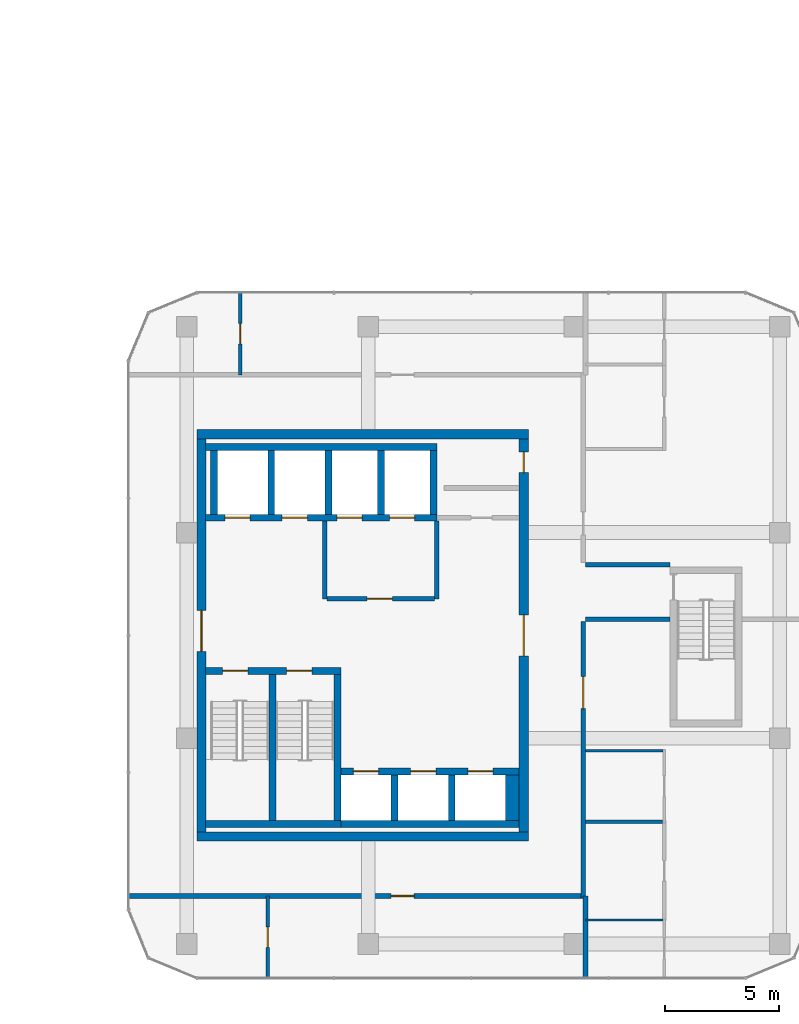
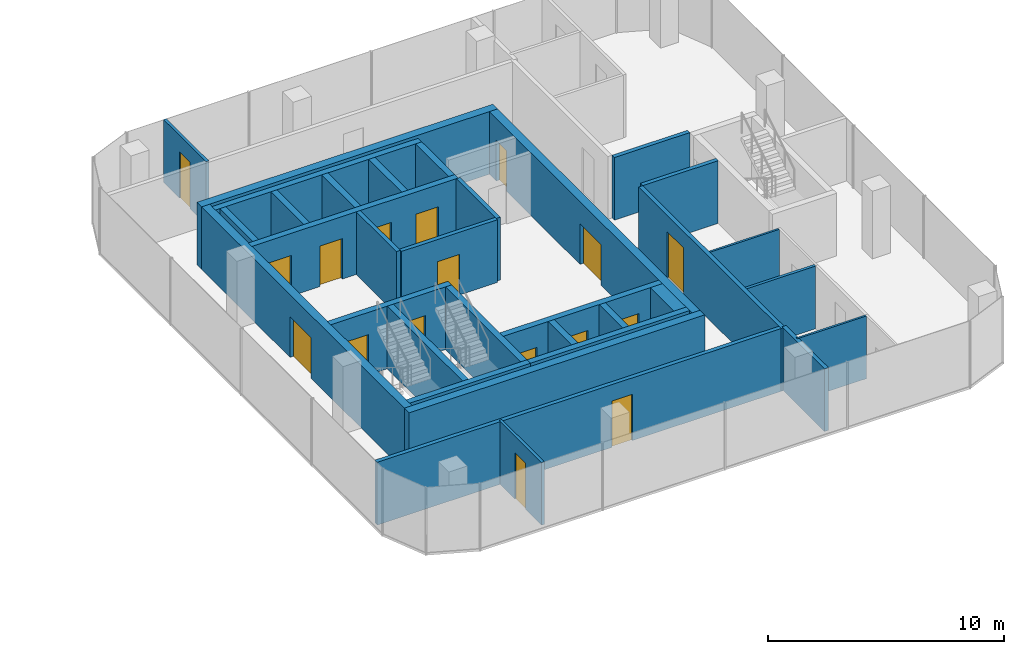
# One storey, part 17 of 22: 33 walls, 17 doors, 17 openings.
"""IFC4 building model written with IfcOpenShell, lengths in metres."""

import ifcopenshell
import ifcopenshell.guid

model = None  # the IFC model being written
_history = None  # IfcOwnerHistory: only IFC2X3 demands one
_inside = {}  # id of a spatial element -> (the spatial element, [elements in it])
_under = {}  # id of a project, library or spatial element -> (it, [spatial elements below it])
_declared = {}  # id of a project -> (the project, [libraries it declares])
_typed = {}  # id of a type object -> (the type object, [elements of that type])
_made_of = {}  # id of a material, layer set ... -> (it, [elements and type objects made of it])


def new_model(schema):
    """Start an empty IFC model of exactly this schema.

    Asked for "IFC4X3", IfcOpenShell would pick the latest addendum, in which some entities
    have other attributes; the version numbers below select the first issue.
    IFC2X3 requires an IfcOwnerHistory on every rooted entity: one is made here for all.
    """
    global model, _history
    if schema == "IFC4X3":
        model = ifcopenshell.file(schema_version=(4, 3, 0, 0))
    else:
        model = ifcopenshell.file(schema=schema)
    _inside.clear()
    _under.clear()
    _declared.clear()
    _typed.clear()
    _made_of.clear()
    _history = None
    if model.schema == "IFC2X3":
        org = make("IfcOrganization", Name="unknown")
        user = make(
            "IfcPersonAndOrganization",
            ThePerson=make("IfcPerson", FamilyName="unknown"),
            TheOrganization=org,
        )
        app = make(
            "IfcApplication",
            ApplicationDeveloper=org,
            Version="unknown",
            ApplicationFullName="unknown",
            ApplicationIdentifier="unknown",
        )
        _history = make(
            "IfcOwnerHistory",
            OwningUser=user,
            OwningApplication=app,
            ChangeAction="ADDED",
            CreationDate=0,
        )
    return model


def make(cls, **values):
    """One entity of the class cls with the attributes given. An attribute that is None is left unset."""
    return model.create_entity(
        cls, **{name: value for name, value in values.items() if value is not None}
    )


def rooted(cls, **values):
    """An entity with a GlobalId (a new one), such as an element, a storey or a relation."""
    return make(cls, GlobalId=ifcopenshell.guid.new(), OwnerHistory=_history, **values)


def si_unit(unit_type, name, prefix=None):
    """IfcSIUnit, for example si_unit("LENGTHUNIT", "METRE", prefix="MILLI")."""
    return make("IfcSIUnit", UnitType=unit_type, Prefix=prefix, Name=name)


def assignment(units):
    """IfcUnitAssignment: the units of a project."""
    return None if units is None else make("IfcUnitAssignment", Units=units)


def point(xyz):
    """IfcCartesianPoint."""
    return None if xyz is None else make("IfcCartesianPoint", Coordinates=xyz)


def direction(xyz):
    """IfcDirection."""
    return None if xyz is None else make("IfcDirection", DirectionRatios=xyz)


def frame(location, z_axis=None, x_axis=None):
    """IfcAxis2Placement3D, a coordinate frame: its origin and axes. An axis left out is left unset."""
    return make(
        "IfcAxis2Placement3D",
        Location=point(location),
        Axis=direction(z_axis),
        RefDirection=direction(x_axis),
    )


def frame_2d(location, x_axis=None):
    """IfcAxis2Placement2D, a coordinate frame in the plane: its origin and x axis."""
    return make(
        "IfcAxis2Placement2D", Location=point(location), RefDirection=direction(x_axis)
    )


def origin():
    """The frame at (0, 0, 0) with its axes left unset."""
    return frame((0.0, 0.0, 0.0))


def place(relative_to, where):
    """IfcLocalPlacement: puts the frame where relative to a parent placement (None: the world)."""
    return make(
        "IfcLocalPlacement", PlacementRelTo=relative_to, RelativePlacement=where
    )


def context(
    kind, dimensions, precision=None, world=None, true_north=None, identifier=None
):
    """IfcGeometricRepresentationContext, for example the 3D "Model" context."""
    return make(
        "IfcGeometricRepresentationContext",
        ContextIdentifier=identifier,
        ContextType=kind,
        CoordinateSpaceDimension=dimensions,
        Precision=precision,
        WorldCoordinateSystem=world,
        TrueNorth=true_north,
    )


def subcontext(parent, identifier, kind, view, scale=None):
    """IfcGeometricRepresentationSubContext, for example "Body" below "Model"."""
    return make(
        "IfcGeometricRepresentationSubContext",
        ContextIdentifier=identifier,
        ContextType=kind,
        ParentContext=parent,
        TargetScale=scale,
        TargetView=view,
    )


def project(units=None, contexts=None):
    """IfcProject with its units and contexts."""
    return rooted(
        "IfcProject",
        Name="project",
        RepresentationContexts=contexts,
        UnitsInContext=assignment(units),
    )


def spatial(cls, under=None, at=None, **own):
    """A site, building, storey or space (cls), placed at a placement, below another one or the project."""
    s = rooted(cls, ObjectPlacement=at, **own)
    if under is not None:
        _under.setdefault(under.id(), (under, []))[1].append(s)
    return s


def profile(cls, at=None, kind="AREA", **sizes):
    """A parametric profile (cls). Its sizes go by their IFC names, for example OverallWidth=200.0."""
    return make(cls, ProfileType=kind, Position=at, **sizes)


def rectangle(**sizes):
    """IfcRectangleProfileDef."""
    return profile("IfcRectangleProfileDef", **sizes)


def extrude(swept, where, along, depth):
    """IfcExtrudedAreaSolid: the profile swept, set in the frame where, extruded along a direction by depth."""
    return make(
        "IfcExtrudedAreaSolid",
        SweptArea=swept,
        Position=where,
        ExtrudedDirection=direction(along),
        Depth=depth,
    )


def shape(context_of_items, identifier, shape_type, items):
    """IfcShapeRepresentation: the items that make up one representation, for example the "Body"."""
    return make(
        "IfcShapeRepresentation",
        ContextOfItems=context_of_items,
        RepresentationIdentifier=identifier,
        RepresentationType=shape_type,
        Items=items,
    )


def material(Name=None, Category=None):
    """IfcMaterial."""
    return make("IfcMaterial", Name=Name, Category=Category)


def layer(
    of_material, thickness, ventilated=None, Name=None, Category=None, Priority=None
):
    """IfcMaterialLayer: one layer of a wall or slab, of a material (None: an air gap)."""
    return make(
        "IfcMaterialLayer",
        Material=of_material,
        LayerThickness=thickness,
        IsVentilated=ventilated,
        Name=Name,
        Category=Category,
        Priority=Priority,
    )


def layer_set(layers, Name=None):
    """IfcMaterialLayerSet."""
    return make("IfcMaterialLayerSet", MaterialLayers=layers, LayerSetName=Name)


def made_of(thing, what):
    """Note that an element or type object is made of a material, layer set ...; save() writes the relation."""
    if what is not None:
        _made_of.setdefault(what.id(), (what, []))[1].append(thing)
    return thing


def type_object(cls, material=None, **own):
    """A type object (cls), such as IfcWallType, which elements share."""
    return made_of(rooted(cls, **own), material)


def element(
    cls,
    number,
    at=None,
    inside=None,
    cuts=None,
    type_object=None,
    material=None,
    context=None,
    identifier="Body",
    shape_type=None,
    held_by="IfcProductDefinitionShape",
    body=None,
    shapes=None,
    **own,
):
    """One element of the class cls, such as IfcWall. Its Tag is "e" and its number.

    at: its placement. inside: the storey or other place that contains it. cuts: it is an
    opening in that element (IfcRelVoidsElement). A single representation is given by context,
    identifier, shape_type and body (its items); several are given by shapes. held_by: the class
    of the entity that holds the representations. save() writes the other relations.
    """
    e = rooted(cls, Tag="e%d" % number, ObjectPlacement=at, **own)
    if body is not None:
        shapes = [shape(context, identifier, shape_type, body)]
    if shapes is not None:
        e.Representation = make(held_by, Representations=shapes)
    if inside is not None:
        _inside.setdefault(inside.id(), (inside, []))[1].append(e)
    if cuts is not None:
        rooted(
            "IfcRelVoidsElement", RelatingBuildingElement=cuts, RelatedOpeningElement=e
        )
    if type_object is not None:
        _typed.setdefault(type_object.id(), (type_object, []))[1].append(e)
    return made_of(e, material)


def fill(opening, filler):
    """IfcRelFillsElement: the door or window that sits in an opening."""
    return rooted(
        "IfcRelFillsElement",
        RelatingOpeningElement=opening,
        RelatedBuildingElement=filler,
    )


def aggregate(whole, parts):
    """IfcRelAggregates: a whole, such as a stair, and the parts it consists of."""
    return rooted("IfcRelAggregates", RelatingObject=whole, RelatedObjects=parts)


def save(model, path):
    """Write the relations noted so far, then the file.

    IfcRelAggregates (storeys below a building ...), IfcRelContainedInSpatialStructure (elements
    in a storey), IfcRelDefinesByType, IfcRelAssociatesMaterial and IfcRelDeclares: one each for
    every whole, place, type object, material and project.
    """
    for whole, parts in _under.values():
        aggregate(whole, parts)
    for where, things in _inside.values():
        rooted(
            "IfcRelContainedInSpatialStructure",
            RelatedElements=things,
            RelatingStructure=where,
        )
    for kind, things in _typed.values():
        rooted("IfcRelDefinesByType", RelatedObjects=things, RelatingType=kind)
    for what, things in _made_of.values():
        rooted("IfcRelAssociatesMaterial", RelatedObjects=things, RelatingMaterial=what)
    for by, libraries in _declared.values():
        rooted("IfcRelDeclares", RelatingContext=by, RelatedDefinitions=libraries)
    model.write(path)


model = new_model("IFC4")

# Units and contexts
model_context = context("Model", 3, precision=1e-05, world=origin(), true_north=direction((0.0, 1.0)))
body_context = subcontext(model_context, "Body", "Model", "MODEL_VIEW")
ifc_project = project(units=[si_unit("LENGTHUNIT", "METRE"), si_unit("AREAUNIT", "SQUARE_METRE"), si_unit("VOLUMEUNIT", "CUBIC_METRE"), si_unit("PLANEANGLEUNIT", "RADIAN"), si_unit("MASSUNIT", "GRAM", prefix="KILO")], contexts=[model_context])

# Site, building, storey
site_placement = place(None, origin())
site = spatial("IfcSite", under=ifc_project, at=site_placement, CompositionType="ELEMENT")
building_placement = place(site_placement, origin())
building = spatial("IfcBuilding", under=site, at=building_placement, Name="Plateau Cross Towers", CompositionType="ELEMENT")
storey_placement = place(building_placement, frame((0.0, 0.0, 102.800048828125)))
storey = spatial("IfcBuildingStorey", under=building, at=storey_placement, Name="L26", CompositionType="ELEMENT", Elevation=102.800048828125)

# Wall
ifc_material_1 = material(Name="Concrete block, plastered both sides", Category="concrete")
ifc_layer_1 = layer(ifc_material_1, 0.199951171875)
ifc_layer_set_1 = layer_set([ifc_layer_1], Name="Concrete block, plastered both sides")
wall_type_1 = type_object("IfcWallType", Name="Core partition 200", PredefinedType="PARTITIONING", material=ifc_layer_set_1)
wall_1_placement = place(storey_placement, frame((80.60009765625, 10.60009765625, 0.0), z_axis=(0.0, 0.0, 1.0), x_axis=(0.0, 1.0, 0.0)))
element("IfcWall", 1, at=wall_1_placement, inside=storey, type_object=wall_type_1, Name="Core partition", PredefinedType="PARTITIONING", context=body_context, shape_type="SweptSolid", body=[
    extrude(rectangle(XDim=3.39990234375, YDim=0.199951171875, at=frame_2d((1.699951171875, 0.0))), origin(), (0.0, 0.0, 1.0), 3.25),
])

# Wall, opening, door
wall_2_placement = place(storey_placement, frame((80.699951171875, 10.60009765625, 0.0), z_axis=(0.0, 0.0, 1.0), x_axis=(1.0, 0.0, 0.0)))
wall_2 = element("IfcWall", 2, at=wall_2_placement, inside=storey, type_object=wall_type_1, Name="Core partition", PredefinedType="PARTITIONING", context=body_context, shape_type="SweptSolid", body=[
    extrude(rectangle(XDim=4.699951171875, YDim=0.199951171875, at=frame_2d((2.35009765625, 0.0))), origin(), (0.0, 0.0, 1.0), 3.25),
])
opening_1_placement = place(wall_2_placement, frame((1.75, 0.0, 0.0)))
opening_1 = element("IfcOpeningElement", 3, at=opening_1_placement, cuts=wall_2, Name="Opening FFD", PredefinedType="OPENING", context=body_context, shape_type="SweptSolid", body=[
    extrude(rectangle(XDim=1.10009765625, YDim=2.10009765625, at=frame_2d((0.550048828125, 1.050048828125))), frame((0.0, 0.10986328125, 0.0), z_axis=(0.0, -1.0, 0.0), x_axis=(1.0, 0.0, 0.0)), (0.0, 0.0, 1.0), 0.219970703125),
])
ifc_material_2 = material(Name="Steel, fire-resisting leaf", Category="steel")
door_type_1 = type_object("IfcDoorType", Name="Firefighting lobby door 1100", OperationType="NOTDEFINED", PredefinedType="DOOR", material=ifc_material_2)
door_1_placement = place(opening_1_placement, origin())
door_1 = element("IfcDoor", 4, at=door_1_placement, inside=storey, type_object=door_type_1, Name="Firefighting lobby door FFD", OperationType="SINGLE_SWING_LEFT", OverallHeight=2.10009765625, OverallWidth=1.10009765625, PredefinedType="DOOR", context=body_context, shape_type="SweptSolid", body=[
    extrude(rectangle(XDim=1.10009765625, YDim=2.10009765625, at=frame_2d((0.550048828125, 1.050048828125))), frame((0.0, 0.02490234375, 0.0), z_axis=(0.0, -1.0, 0.0), x_axis=(1.0, 0.0, 0.0)), (0.0, 0.0, 1.0), 0.050048828125),
])
fill(opening_1, door_1)

# Walls
wall_3_placement = place(storey_placement, frame((85.5, 10.60009765625, 0.0), z_axis=(0.0, 0.0, 1.0), x_axis=(0.0, 1.0, 0.0)))
element("IfcWall", 5, at=wall_3_placement, inside=storey, type_object=wall_type_1, Name="Core partition", PredefinedType="PARTITIONING", context=body_context, shape_type="SweptSolid", body=[
    extrude(rectangle(XDim=3.39990234375, YDim=0.199951171875, at=frame_2d((1.699951171875, 0.0))), origin(), (0.0, 0.0, 1.0), 3.25),
])
ifc_material_3 = material(Name="Concrete C60/75", Category="concrete")
ifc_layer_2 = layer(ifc_material_3, 0.300048828125)
ifc_layer_set_2 = layer_set([ifc_layer_2], Name="Concrete C60/75")
wall_type_2 = type_object("IfcWallType", Name="Core shaft wall 300", PredefinedType="SHEAR", material=ifc_layer_set_2)
wall_4_placement = place(storey_placement, frame((75.3798828125, 0.75, 0.0), z_axis=(0.0, 0.0, 1.0), x_axis=(1.0, 0.0, 0.0)))
element("IfcWall", 6, at=wall_4_placement, inside=storey, type_object=wall_type_2, Name="B-sb-stS@L26", PredefinedType="SHEAR", context=body_context, shape_type="SweptSolid", body=[
    extrude(rectangle(XDim=5.920166015625, YDim=0.300048828125, at=frame_2d((2.9599609375, 0.0))), origin(), (0.0, 0.0, 1.0), 3.25),
])

# Wall, openings, doors
wall_5_placement = place(storey_placement, frame((75.3798828125, 7.449951171875, 0.0), z_axis=(0.0, 0.0, 1.0), x_axis=(1.0, 0.0, 0.0)))
wall_5 = element("IfcWall", 7, at=wall_5_placement, inside=storey, type_object=wall_type_2, Name="B-sb-stN@L26", PredefinedType="SHEAR", context=body_context, shape_type="SweptSolid", body=[
    extrude(rectangle(XDim=5.920166015625, YDim=0.300048828125, at=frame_2d((2.9599609375, 0.0))), origin(), (0.0, 0.0, 1.0), 3.25),
])
opening_2_placement = place(wall_5_placement, frame((0.75, 0.0, 0.0)))
opening_2 = element("IfcOpeningElement", 8, at=opening_2_placement, cuts=wall_5, Name="Opening SD", PredefinedType="OPENING", context=body_context, shape_type="SweptSolid", body=[
    extrude(rectangle(XDim=1.10009765625, YDim=2.10009765625, at=frame_2d((0.550048828125, 1.050048828125))), frame((0.0, 0.159912109375, 0.0), z_axis=(0.0, -1.0, 0.0), x_axis=(1.0, 0.0, 0.0)), (0.0, 0.0, 1.0), 0.320068359375),
])
opening_3_placement = place(wall_5_placement, frame((3.550048828125, 0.0, 0.0)))
opening_3 = element("IfcOpeningElement", 9, at=opening_3_placement, cuts=wall_5, Name="Opening SD", PredefinedType="OPENING", context=body_context, shape_type="SweptSolid", body=[
    extrude(rectangle(XDim=1.10009765625, YDim=2.10009765625, at=frame_2d((0.550048828125, 1.050048828125))), frame((0.0, 0.159912109375, 0.0), z_axis=(0.0, -1.0, 0.0), x_axis=(1.0, 0.0, 0.0)), (0.0, 0.0, 1.0), 0.320068359375),
])
door_type_2 = type_object("IfcDoorType", Name="Stair door 1100", OperationType="NOTDEFINED", PredefinedType="DOOR", material=ifc_material_2)
door_2_placement = place(opening_2_placement, origin())
door_2 = element("IfcDoor", 10, at=door_2_placement, inside=storey, type_object=door_type_2, Name="Stair door SD", OperationType="SINGLE_SWING_RIGHT", OverallHeight=2.10009765625, OverallWidth=1.10009765625, PredefinedType="DOOR", context=body_context, shape_type="SweptSolid", body=[
    extrude(rectangle(XDim=1.10009765625, YDim=2.10009765625, at=frame_2d((0.550048828125, 1.050048828125))), frame((0.0, 0.02490234375, 0.0), z_axis=(0.0, -1.0, 0.0), x_axis=(1.0, 0.0, 0.0)), (0.0, 0.0, 1.0), 0.050048828125),
])
fill(opening_2, door_2)
door_3_placement = place(opening_3_placement, origin())
door_3 = element("IfcDoor", 11, at=door_3_placement, inside=storey, type_object=door_type_2, Name="Stair door SD", OperationType="SINGLE_SWING_LEFT", OverallHeight=2.10009765625, OverallWidth=1.10009765625, PredefinedType="DOOR", context=body_context, shape_type="SweptSolid", body=[
    extrude(rectangle(XDim=1.10009765625, YDim=2.10009765625, at=frame_2d((0.550048828125, 1.050048828125))), frame((0.0, 0.02490234375, 0.0), z_axis=(0.0, -1.0, 0.0), x_axis=(1.0, 0.0, 0.0)), (0.0, 0.0, 1.0), 0.050048828125),
])
fill(opening_3, door_3)

# Walls
for number, where, z_axis, x_axis, name in (
    (12, (78.300048828125, 0.89990234375, 0.0), (0.0, 0.0, 1.0), (0.0, 1.0, 0.0), "B-sb-st1@L26"),
    (13, (81.14990234375, 0.89990234375, 0.0), (0.0, 0.0, 1.0), (0.0, 1.0, 0.0), "B-sb-st2@L26"),
):
    element("IfcWall", number, at=place(storey_placement, frame(where, z_axis=z_axis, x_axis=x_axis)), inside=storey, type_object=wall_type_2, Name=name, PredefinedType="SHEAR", context=body_context, shape_type="SweptSolid", body=[
        extrude(rectangle(XDim=6.400146484375, YDim=0.300048828125, at=frame_2d((3.2001953125, 0.0))), origin(), (0.0, 0.0, 1.0), 3.25),
    ])
wall_6_placement = place(storey_placement, frame((81.300048828125, 0.75, 0.0), z_axis=(0.0, 0.0, 1.0), x_axis=(1.0, 0.0, 0.0)))
element("IfcWall", 14, at=wall_6_placement, inside=storey, type_object=wall_type_2, Name="B-sb-back@L26", PredefinedType="SHEAR", context=body_context, shape_type="SweptSolid", body=[
    extrude(rectangle(XDim=7.800048828125, YDim=0.300048828125, at=frame_2d((3.89990234375, 0.0))), origin(), (0.0, 0.0, 1.0), 3.25),
])
for number, where, z_axis, x_axis, name in (
    (15, (83.64990234375, 0.89990234375, 0.0), (0.0, 0.0, 1.0), (0.0, 1.0, 0.0), "B-sb-v1@L26"),
    (16, (86.14990234375, 0.89990234375, 0.0), (0.0, 0.0, 1.0), (0.0, 1.0, 0.0), "B-sb-v2@L26"),
):
    element("IfcWall", number, at=place(storey_placement, frame(where, z_axis=z_axis, x_axis=x_axis)), inside=storey, type_object=wall_type_2, Name=name, PredefinedType="SHEAR", context=body_context, shape_type="SweptSolid", body=[
        extrude(rectangle(XDim=2.0, YDim=0.300048828125, at=frame_2d((1.0, 0.0))), origin(), (0.0, 0.0, 1.0), 3.25),
    ])

# Wall, openings, doors
wall_7_placement = place(storey_placement, frame((81.300048828125, 3.050048828125, 0.0), z_axis=(0.0, 0.0, 1.0), x_axis=(1.0, 0.0, 0.0)))
wall_7 = element("IfcWall", 17, at=wall_7_placement, inside=storey, type_object=wall_type_2, Name="B-sb-front@L26", PredefinedType="SHEAR", context=body_context, shape_type="SweptSolid", body=[
    extrude(rectangle(XDim=7.800048828125, YDim=0.300048828125, at=frame_2d((3.89990234375, 0.0))), origin(), (0.0, 0.0, 1.0), 3.25),
])
opening_4_placement = place(wall_7_placement, frame((0.550048828125, 0.0, 0.0)))
opening_4 = element("IfcOpeningElement", 18, at=opening_4_placement, cuts=wall_7, Name="Opening LD", PredefinedType="OPENING", context=body_context, shape_type="SweptSolid", body=[
    extrude(rectangle(XDim=1.10009765625, YDim=2.10009765625, at=frame_2d((0.550048828125, 1.050048828125))), frame((0.0, 0.159912109375, 0.0), z_axis=(0.0, -1.0, 0.0), x_axis=(1.0, 0.0, 0.0)), (0.0, 0.0, 1.0), 0.320068359375),
])
opening_5_placement = place(wall_7_placement, frame((3.050048828125, 0.0, 0.0)))
opening_5 = element("IfcOpeningElement", 19, at=opening_5_placement, cuts=wall_7, Name="Opening LD", PredefinedType="OPENING", context=body_context, shape_type="SweptSolid", body=[
    extrude(rectangle(XDim=1.10009765625, YDim=2.10009765625, at=frame_2d((0.550048828125, 1.050048828125))), frame((0.0, 0.159912109375, 0.0), z_axis=(0.0, -1.0, 0.0), x_axis=(1.0, 0.0, 0.0)), (0.0, 0.0, 1.0), 0.320068359375),
])
opening_6_placement = place(wall_7_placement, frame((5.550048828125, 0.0, 0.0)))
opening_6 = element("IfcOpeningElement", 20, at=opening_6_placement, cuts=wall_7, Name="Opening LD", PredefinedType="OPENING", context=body_context, shape_type="SweptSolid", body=[
    extrude(rectangle(XDim=1.10009765625, YDim=2.10009765625, at=frame_2d((0.550048828125, 1.050048828125))), frame((0.0, 0.159912109375, 0.0), z_axis=(0.0, -1.0, 0.0), x_axis=(1.0, 0.0, 0.0)), (0.0, 0.0, 1.0), 0.320068359375),
])
ifc_material_4 = material(Name="Stainless steel, fire-resisting sliding leaves", Category="steel")
door_type_3 = type_object("IfcDoorType", Name="Lift landing door 1100", OperationType="NOTDEFINED", PredefinedType="DOOR", material=ifc_material_4)
door_4_placement = place(opening_4_placement, origin())
door_4 = element("IfcDoor", 21, at=door_4_placement, inside=storey, type_object=door_type_3, Name="Lift landing door LD", OperationType="DOUBLE_DOOR_SLIDING", OverallHeight=2.10009765625, OverallWidth=1.10009765625, PredefinedType="DOOR", context=body_context, shape_type="SweptSolid", body=[
    extrude(rectangle(XDim=1.10009765625, YDim=2.10009765625, at=frame_2d((0.550048828125, 1.050048828125))), frame((0.0, 0.02490234375, 0.0), z_axis=(0.0, -1.0, 0.0), x_axis=(1.0, 0.0, 0.0)), (0.0, 0.0, 1.0), 0.050048828125),
])
fill(opening_4, door_4)
door_5_placement = place(opening_5_placement, origin())
door_5 = element("IfcDoor", 22, at=door_5_placement, inside=storey, type_object=door_type_3, Name="Lift landing door LD", OperationType="DOUBLE_DOOR_SLIDING", OverallHeight=2.10009765625, OverallWidth=1.10009765625, PredefinedType="DOOR", context=body_context, shape_type="SweptSolid", body=[
    extrude(rectangle(XDim=1.10009765625, YDim=2.10009765625, at=frame_2d((0.550048828125, 1.050048828125))), frame((0.0, 0.02490234375, 0.0), z_axis=(0.0, -1.0, 0.0), x_axis=(1.0, 0.0, 0.0)), (0.0, 0.0, 1.0), 0.050048828125),
])
fill(opening_5, door_5)
door_6_placement = place(opening_6_placement, origin())
door_6 = element("IfcDoor", 23, at=door_6_placement, inside=storey, type_object=door_type_3, Name="Lift landing door LD", OperationType="DOUBLE_DOOR_SLIDING", OverallHeight=2.10009765625, OverallWidth=1.10009765625, PredefinedType="DOOR", context=body_context, shape_type="SweptSolid", body=[
    extrude(rectangle(XDim=1.10009765625, YDim=2.10009765625, at=frame_2d((0.550048828125, 1.050048828125))), frame((0.0, 0.02490234375, 0.0), z_axis=(0.0, -1.0, 0.0), x_axis=(1.0, 0.0, 0.0)), (0.0, 0.0, 1.0), 0.050048828125),
])
fill(opening_6, door_6)

# Wall
wall_8_placement = place(storey_placement, frame((75.3798828125, 17.25, 0.0), z_axis=(0.0, 0.0, 1.0), x_axis=(1.0, 0.0, 0.0)))
element("IfcWall", 24, at=wall_8_placement, inside=storey, type_object=wall_type_2, Name="B-nb-back@L26", PredefinedType="SHEAR", context=body_context, shape_type="SweptSolid", body=[
    extrude(rectangle(XDim=10.1201171875, YDim=0.300048828125, at=frame_2d((5.06005859375, 0.0))), origin(), (0.0, 0.0, 1.0), 3.25),
])

# Wall, openings, doors
wall_9_placement = place(storey_placement, frame((75.3798828125, 14.14990234375, 0.0), z_axis=(0.0, 0.0, 1.0), x_axis=(1.0, 0.0, 0.0)))
wall_9 = element("IfcWall", 25, at=wall_9_placement, inside=storey, type_object=wall_type_2, Name="B-nb-front@L26", PredefinedType="SHEAR", context=body_context, shape_type="SweptSolid", body=[
    extrude(rectangle(XDim=10.1201171875, YDim=0.300048828125, at=frame_2d((5.06005859375, 0.0))), origin(), (0.0, 0.0, 1.0), 3.25),
])
opening_7_placement = place(wall_9_placement, frame((0.85009765625, 0.0, 0.0)))
opening_7 = element("IfcOpeningElement", 26, at=opening_7_placement, cuts=wall_9, Name="Opening LD", PredefinedType="OPENING", context=body_context, shape_type="SweptSolid", body=[
    extrude(rectangle(XDim=1.10009765625, YDim=2.10009765625, at=frame_2d((0.550048828125, 1.050048828125))), frame((0.0, 0.159912109375, 0.0), z_axis=(0.0, -1.0, 0.0), x_axis=(1.0, 0.0, 0.0)), (0.0, 0.0, 1.0), 0.320068359375),
])
opening_8_placement = place(wall_9_placement, frame((3.35009765625, 0.0, 0.0)))
opening_8 = element("IfcOpeningElement", 27, at=opening_8_placement, cuts=wall_9, Name="Opening LD", PredefinedType="OPENING", context=body_context, shape_type="SweptSolid", body=[
    extrude(rectangle(XDim=1.10009765625, YDim=2.10009765625, at=frame_2d((0.550048828125, 1.050048828125))), frame((0.0, 0.159912109375, 0.0), z_axis=(0.0, -1.0, 0.0), x_axis=(1.0, 0.0, 0.0)), (0.0, 0.0, 1.0), 0.320068359375),
])
opening_9_placement = place(wall_9_placement, frame((5.75, 0.0, 0.0)))
opening_9 = element("IfcOpeningElement", 28, at=opening_9_placement, cuts=wall_9, Name="Opening LD", PredefinedType="OPENING", context=body_context, shape_type="SweptSolid", body=[
    extrude(rectangle(XDim=1.10009765625, YDim=2.10009765625, at=frame_2d((0.550048828125, 1.050048828125))), frame((0.0, 0.159912109375, 0.0), z_axis=(0.0, -1.0, 0.0), x_axis=(1.0, 0.0, 0.0)), (0.0, 0.0, 1.0), 0.320068359375),
])
opening_10_placement = place(wall_9_placement, frame((8.050048828125, 0.0, 0.0)))
opening_10 = element("IfcOpeningElement", 29, at=opening_10_placement, cuts=wall_9, Name="Opening LD", PredefinedType="OPENING", context=body_context, shape_type="SweptSolid", body=[
    extrude(rectangle(XDim=1.10009765625, YDim=2.10009765625, at=frame_2d((0.550048828125, 1.050048828125))), frame((0.0, 0.159912109375, 0.0), z_axis=(0.0, -1.0, 0.0), x_axis=(1.0, 0.0, 0.0)), (0.0, 0.0, 1.0), 0.320068359375),
])
door_7_placement = place(opening_7_placement, origin())
door_7 = element("IfcDoor", 30, at=door_7_placement, inside=storey, type_object=door_type_3, Name="Lift landing door LD", OperationType="DOUBLE_DOOR_SLIDING", OverallHeight=2.10009765625, OverallWidth=1.10009765625, PredefinedType="DOOR", context=body_context, shape_type="SweptSolid", body=[
    extrude(rectangle(XDim=1.10009765625, YDim=2.10009765625, at=frame_2d((0.550048828125, 1.050048828125))), frame((0.0, 0.02490234375, 0.0), z_axis=(0.0, -1.0, 0.0), x_axis=(1.0, 0.0, 0.0)), (0.0, 0.0, 1.0), 0.050048828125),
])
fill(opening_7, door_7)
door_8_placement = place(opening_8_placement, origin())
door_8 = element("IfcDoor", 31, at=door_8_placement, inside=storey, type_object=door_type_3, Name="Lift landing door LD", OperationType="DOUBLE_DOOR_SLIDING", OverallHeight=2.10009765625, OverallWidth=1.10009765625, PredefinedType="DOOR", context=body_context, shape_type="SweptSolid", body=[
    extrude(rectangle(XDim=1.10009765625, YDim=2.10009765625, at=frame_2d((0.550048828125, 1.050048828125))), frame((0.0, 0.02490234375, 0.0), z_axis=(0.0, -1.0, 0.0), x_axis=(1.0, 0.0, 0.0)), (0.0, 0.0, 1.0), 0.050048828125),
])
fill(opening_8, door_8)
door_9_placement = place(opening_9_placement, origin())
door_9 = element("IfcDoor", 32, at=door_9_placement, inside=storey, type_object=door_type_3, Name="Lift landing door LD", OperationType="DOUBLE_DOOR_SLIDING", OverallHeight=2.10009765625, OverallWidth=1.10009765625, PredefinedType="DOOR", context=body_context, shape_type="SweptSolid", body=[
    extrude(rectangle(XDim=1.10009765625, YDim=2.10009765625, at=frame_2d((0.550048828125, 1.050048828125))), frame((0.0, 0.02490234375, 0.0), z_axis=(0.0, -1.0, 0.0), x_axis=(1.0, 0.0, 0.0)), (0.0, 0.0, 1.0), 0.050048828125),
])
fill(opening_9, door_9)
door_10_placement = place(opening_10_placement, origin())
door_10 = element("IfcDoor", 33, at=door_10_placement, inside=storey, type_object=door_type_3, Name="Lift landing door LD", OperationType="DOUBLE_DOOR_SLIDING", OverallHeight=2.10009765625, OverallWidth=1.10009765625, PredefinedType="DOOR", context=body_context, shape_type="SweptSolid", body=[
    extrude(rectangle(XDim=1.10009765625, YDim=2.10009765625, at=frame_2d((0.550048828125, 1.050048828125))), frame((0.0, 0.02490234375, 0.0), z_axis=(0.0, -1.0, 0.0), x_axis=(1.0, 0.0, 0.0)), (0.0, 0.0, 1.0), 0.050048828125),
])
fill(opening_10, door_10)

# Walls
for number, where, z_axis, x_axis, name in (
    (34, (75.75, 14.300048828125, 0.0), (0.0, 0.0, 1.0), (0.0, 1.0, 0.0), "B-nb-v0@L26"),
    (35, (78.25, 14.300048828125, 0.0), (0.0, 0.0, 1.0), (0.0, 1.0, 0.0), "B-nb-v1@L26"),
    (36, (80.75, 14.300048828125, 0.0), (0.0, 0.0, 1.0), (0.0, 1.0, 0.0), "B-nb-v2@L26"),
    (37, (83.050048828125, 14.300048828125, 0.0), (0.0, 0.0, 1.0), (0.0, 1.0, 0.0), "B-nb-v3@L26"),
    (38, (85.35009765625, 14.300048828125, 0.0), (0.0, 0.0, 1.0), (0.0, 1.0, 0.0), "B-nb-v4@L26"),
):
    element("IfcWall", number, at=place(storey_placement, frame(where, z_axis=z_axis, x_axis=x_axis)), inside=storey, type_object=wall_type_2, Name=name, PredefinedType="SHEAR", context=body_context, shape_type="SweptSolid", body=[
        extrude(rectangle(XDim=2.800048828125, YDim=0.300048828125, at=frame_2d((1.39990234375, 0.0))), origin(), (0.0, 0.0, 1.0), 3.25),
    ])
ifc_layer_3 = layer(ifc_material_3, 0.60009765625)
ifc_layer_set_3 = layer_set([ifc_layer_3], Name="Concrete C60/75")
wall_type_3 = type_object("IfcWallType", Name="Core shaft wall 600", PredefinedType="SHEAR", material=ifc_layer_set_3)
wall_10_placement = place(storey_placement, frame((88.800048828125, 0.89990234375, 0.0), z_axis=(0.0, 0.0, 1.0), x_axis=(0.0, 1.0, 0.0)))
element("IfcWall", 39, at=wall_10_placement, inside=storey, type_object=wall_type_3, Name="B-sb-v3@L26", PredefinedType="SHEAR", context=body_context, shape_type="SweptSolid", body=[
    extrude(rectangle(XDim=2.0, YDim=0.60009765625, at=frame_2d((1.0, 0.0))), origin(), (0.0, 0.0, 1.0), 3.25),
])
ifc_layer_4 = layer(ifc_material_3, 0.39990234375)
ifc_layer_set_4 = layer_set([ifc_layer_4], Name="Concrete C60/75")
wall_type_4 = type_object("IfcWallType", Name="Core shell wall 400", PredefinedType="SHEAR", material=ifc_layer_set_4)
for number, where, z_axis, x_axis, name in (
    (40, (75.0, 0.199951171875, 0.0), (0.0, 0.0, 1.0), (1.0, 0.0, 0.0), "B-core-S@L26"),
    (41, (75.0, 17.800048828125, 0.0), (0.0, 0.0, 1.0), (1.0, 0.0, 0.0), "B-core-N@L26"),
):
    element("IfcWall", number, at=place(storey_placement, frame(where, z_axis=z_axis, x_axis=x_axis)), inside=storey, type_object=wall_type_4, Name=name, PredefinedType="SHEAR", context=body_context, shape_type="SweptSolid", body=[
        extrude(rectangle(XDim=14.5, YDim=0.39990234375, at=frame_2d((7.25, 0.0))), origin(), (0.0, 0.0, 1.0), 3.25),
    ])

# Wall, opening, door
wall_11_placement = place(storey_placement, frame((75.199951171875, 0.39990234375, 0.0), z_axis=(0.0, 0.0, 1.0), x_axis=(0.0, 1.0, 0.0)))
wall_11 = element("IfcWall", 42, at=wall_11_placement, inside=storey, type_object=wall_type_4, Name="B-core-W@L26", PredefinedType="SHEAR", context=body_context, shape_type="SweptSolid", body=[
    extrude(rectangle(XDim=17.2001953125, YDim=0.39990234375, at=frame_2d((8.60009765625, 0.0))), origin(), (0.0, 0.0, 1.0), 3.25),
])
opening_11_placement = place(wall_11_placement, frame((7.89990234375, 0.0, 0.0)))
opening_11 = element("IfcOpeningElement", 43, at=opening_11_placement, cuts=wall_11, Name="Opening CD", PredefinedType="OPENING", context=body_context, shape_type="SweptSolid", body=[
    extrude(rectangle(XDim=1.800048828125, YDim=2.10009765625, at=frame_2d((0.89990234375, 1.050048828125))), frame((0.0, 0.2099609375, 0.0), z_axis=(0.0, -1.0, 0.0), x_axis=(1.0, 0.0, 0.0)), (0.0, 0.0, 1.0), 0.419921875),
])
ifc_material_5 = material(Name="Steel, fire-resisting leaves", Category="steel")
door_type_4 = type_object("IfcDoorType", Name="Corridor door pair 1800", OperationType="NOTDEFINED", PredefinedType="DOOR", material=ifc_material_5)
door_11_placement = place(opening_11_placement, origin())
door_11 = element("IfcDoor", 44, at=door_11_placement, inside=storey, type_object=door_type_4, Name="Corridor door pair CD", OperationType="DOUBLE_DOOR_SINGLE_SWING", OverallHeight=2.10009765625, OverallWidth=1.800048828125, PredefinedType="DOOR", context=body_context, shape_type="SweptSolid", body=[
    extrude(rectangle(XDim=1.800048828125, YDim=2.10009765625, at=frame_2d((0.89990234375, 1.050048828125))), frame((0.0, 0.02490234375, 0.0), z_axis=(0.0, -1.0, 0.0), x_axis=(1.0, 0.0, 0.0)), (0.0, 0.0, 1.0), 0.050048828125),
])
fill(opening_11, door_11)

# Wall, openings, doors
wall_12_placement = place(storey_placement, frame((89.300048828125, 0.39990234375, 0.0), z_axis=(0.0, 0.0, 1.0), x_axis=(0.0, 1.0, 0.0)))
wall_12 = element("IfcWall", 45, at=wall_12_placement, inside=storey, type_object=wall_type_4, Name="B-core-E@L26", PredefinedType="SHEAR", context=body_context, shape_type="SweptSolid", body=[
    extrude(rectangle(XDim=17.2001953125, YDim=0.39990234375, at=frame_2d((8.60009765625, 0.0))), origin(), (0.0, 0.0, 1.0), 3.25),
])
opening_12_placement = place(wall_12_placement, frame((7.699951171875, 0.0, 0.0)))
opening_12 = element("IfcOpeningElement", 46, at=opening_12_placement, cuts=wall_12, Name="Opening CD", PredefinedType="OPENING", context=body_context, shape_type="SweptSolid", body=[
    extrude(rectangle(XDim=1.800048828125, YDim=2.10009765625, at=frame_2d((0.89990234375, 1.050048828125))), frame((0.0, 0.2099609375, 0.0), z_axis=(0.0, -1.0, 0.0), x_axis=(1.0, 0.0, 0.0)), (0.0, 0.0, 1.0), 0.419921875),
])
opening_13_placement = place(wall_12_placement, frame((15.72509765625, 0.0, 0.0)))
opening_13 = element("IfcOpeningElement", 47, at=opening_13_placement, cuts=wall_12, Name="Opening RD2", PredefinedType="OPENING", context=body_context, shape_type="SweptSolid", body=[
    extrude(rectangle(XDim=0.89990234375, YDim=2.10009765625, at=frame_2d((0.449951171875, 1.050048828125))), frame((0.0, 0.2099609375, 0.0), z_axis=(0.0, -1.0, 0.0), x_axis=(1.0, 0.0, 0.0)), (0.0, 0.0, 1.0), 0.419921875),
])
door_type_5 = type_object("IfcDoorType", Name="Core riser door 900", OperationType="NOTDEFINED", PredefinedType="DOOR", material=ifc_material_2)
door_12_placement = place(opening_13_placement, origin())
door_12 = element("IfcDoor", 48, at=door_12_placement, inside=storey, type_object=door_type_5, Name="Core riser door RD2", OperationType="SINGLE_SWING_LEFT", OverallHeight=2.10009765625, OverallWidth=0.89990234375, PredefinedType="DOOR", context=body_context, shape_type="SweptSolid", body=[
    extrude(rectangle(XDim=0.89990234375, YDim=2.10009765625, at=frame_2d((0.449951171875, 1.050048828125))), frame((0.0, 0.02490234375, 0.0), z_axis=(0.0, -1.0, 0.0), x_axis=(1.0, 0.0, 0.0)), (0.0, 0.0, 1.0), 0.050048828125),
])
fill(opening_13, door_12)
door_13_placement = place(opening_12_placement, origin())
door_13 = element("IfcDoor", 49, at=door_13_placement, inside=storey, type_object=door_type_4, Name="Corridor door pair CD", OperationType="DOUBLE_DOOR_SINGLE_SWING", OverallHeight=2.10009765625, OverallWidth=1.800048828125, PredefinedType="DOOR", context=body_context, shape_type="SweptSolid", body=[
    extrude(rectangle(XDim=1.800048828125, YDim=2.10009765625, at=frame_2d((0.89990234375, 1.050048828125))), frame((0.0, 0.02490234375, 0.0), z_axis=(0.0, -1.0, 0.0), x_axis=(1.0, 0.0, 0.0)), (0.0, 0.0, 1.0), 0.050048828125),
])
fill(opening_12, door_13)

# Wall, opening, door
ifc_material_6 = material(Name="Gypsum board on steel studs, two layers each side", Category="steel")
ifc_layer_5 = layer(ifc_material_6, 0.199951171875)
ifc_layer_set_5 = layer_set([ifc_layer_5], Name="Gypsum board on steel studs, two layers each side")
wall_type_5 = type_object("IfcWallType", Name="Corridor wall 200", PredefinedType="PARTITIONING", material=ifc_layer_set_5)
wall_13_placement = place(storey_placement, frame((72.0, -2.39990234375, 0.0), z_axis=(0.0, 0.0, 1.0), x_axis=(1.0, 0.0, 0.0)))
wall_13 = element("IfcWall", 50, at=wall_13_placement, inside=storey, type_object=wall_type_5, Name="Ring wall", PredefinedType="PARTITIONING", context=body_context, shape_type="SweptSolid", body=[
    extrude(rectangle(XDim=20.0, YDim=0.199951171875, at=frame_2d((10.0, 0.0))), origin(), (0.0, 0.0, 1.0), 3.25),
])
opening_14_placement = place(wall_13_placement, frame((11.5, 0.0, 0.0)))
opening_14 = element("IfcOpeningElement", 51, at=opening_14_placement, cuts=wall_13, Name="Opening D-BO10", PredefinedType="OPENING", context=body_context, shape_type="SweptSolid", body=[
    extrude(rectangle(XDim=1.0, YDim=2.39990234375, at=frame_2d((0.5, 1.199951171875))), frame((0.0, 0.10986328125, 0.0), z_axis=(0.0, -1.0, 0.0), x_axis=(1.0, 0.0, 0.0)), (0.0, 0.0, 1.0), 0.219970703125),
])
ifc_material_7 = material(Name="Fire-resisting glazed leaf in a steel frame", Category="steel")
door_type_6 = type_object("IfcDoorType", Name="Office glazed entrance leaf 1000x2400", OperationType="NOTDEFINED", PredefinedType="DOOR", material=ifc_material_7)
door_14_placement = place(opening_14_placement, origin())
door_14 = element("IfcDoor", 52, at=door_14_placement, inside=storey, type_object=door_type_6, Name="Door D-BO10", OperationType="SINGLE_SWING_LEFT", OverallHeight=2.39990234375, OverallWidth=1.0, PredefinedType="DOOR", context=body_context, shape_type="SweptSolid", body=[
    extrude(rectangle(XDim=1.0, YDim=2.39990234375, at=frame_2d((0.5, 1.199951171875))), frame((0.0, 0.02490234375, 0.0), z_axis=(0.0, -1.0, 0.0), x_axis=(1.0, 0.0, 0.0)), (0.0, 0.0, 1.0), 0.050048828125),
])
fill(opening_14, door_14)

wall_14_placement = place(storey_placement, frame((91.89990234375, -2.5, 0.0), z_axis=(0.0, 0.0, 1.0), x_axis=(0.0, 1.0, 0.0)))
wall_14 = element("IfcWall", 53, at=wall_14_placement, inside=storey, type_object=wall_type_5, Name="Ring wall", PredefinedType="PARTITIONING", context=body_context, shape_type="SweptSolid", body=[
    extrude(rectangle(XDim=12.10009765625, YDim=0.199951171875, at=frame_2d((6.050048828125, 0.0))), origin(), (0.0, 0.0, 1.0), 3.25),
])
opening_15_placement = place(wall_14_placement, frame((8.300048828125, 0.0, 0.0)))
opening_15 = element("IfcOpeningElement", 54, at=opening_15_placement, cuts=wall_14, Name="Opening D-BE14", PredefinedType="OPENING", context=body_context, shape_type="SweptSolid", body=[
    extrude(rectangle(XDim=1.39990234375, YDim=2.39990234375, at=frame_2d((0.699951171875, 1.199951171875))), frame((0.0, 0.10986328125, 0.0), z_axis=(0.0, -1.0, 0.0), x_axis=(1.0, 0.0, 0.0)), (0.0, 0.0, 1.0), 0.219970703125),
])
ifc_material_8 = material(Name="Timber, fire-resisting leaves", Category="wood")
door_type_7 = type_object("IfcDoorType", Name="Tenant entrance double-leaf 1400x2400", OperationType="NOTDEFINED", PredefinedType="DOOR", material=ifc_material_8)
door_15_placement = place(opening_15_placement, origin())
door_15 = element("IfcDoor", 55, at=door_15_placement, inside=storey, type_object=door_type_7, Name="Door D-BE14", OperationType="DOUBLE_DOOR_SINGLE_SWING", OverallHeight=2.39990234375, OverallWidth=1.39990234375, PredefinedType="DOOR", context=body_context, shape_type="SweptSolid", body=[
    extrude(rectangle(XDim=1.39990234375, YDim=2.39990234375, at=frame_2d((0.699951171875, 1.199951171875))), frame((0.0, 0.02490234375, 0.0), z_axis=(0.0, -1.0, 0.0), x_axis=(1.0, 0.0, 0.0)), (0.0, 0.0, 1.0), 0.050048828125),
])
fill(opening_15, door_15)

# Walls
for number, where, z_axis, x_axis, name in (
    (56, (92.0, 9.699951171875, 0.0), (0.0, 0.0, 1.0), (1.0, 0.0, 0.0), "Ring wall"),
    (57, (92.0, 12.10009765625, 0.0), (0.0, 0.0, 1.0), (1.0, 0.0, 0.0), "Ring wall"),
):
    element("IfcWall", number, at=place(storey_placement, frame(where, z_axis=z_axis, x_axis=x_axis)), inside=storey, type_object=wall_type_5, Name=name, PredefinedType="PARTITIONING", context=body_context, shape_type="SweptSolid", body=[
        extrude(rectangle(XDim=3.699951171875, YDim=0.199951171875, at=frame_2d((1.85009765625, 0.0))), origin(), (0.0, 0.0, 1.0), 3.25),
    ])

# Wall, opening, door
ifc_material_9 = material(Name="Gypsum board on staggered steel studs, mineral wool, two layers each side", Category="steel")
ifc_layer_6 = layer(ifc_material_9, 0.139892578125)
ifc_layer_set_6 = layer_set([ifc_layer_6], Name="Gypsum board on staggered steel studs, mineral wool, two layers each side")
wall_type_6 = type_object("IfcWallType", Name="Meeting room acoustic partition 140", PredefinedType="PARTITIONING", material=ifc_layer_set_6)
wall_15_placement = place(storey_placement, frame((78.10009765625, -6.0, 0.0), z_axis=(0.0, 0.0, 1.0), x_axis=(0.0, 1.0, 0.0)))
wall_15 = element("IfcWall", 58, at=wall_15_placement, inside=storey, type_object=wall_type_6, Name="Acoustic wall", PredefinedType="PARTITIONING", context=body_context, shape_type="SweptSolid", body=[
    extrude(rectangle(XDim=3.60009765625, YDim=0.139892578125, at=frame_2d((1.800048828125, 0.0))), origin(), (0.0, 0.0, 1.0), 3.25),
])
opening_16_placement = place(wall_15_placement, frame((1.35009765625, 0.0, 0.0)))
opening_16 = element("IfcOpeningElement", 59, at=opening_16_placement, cuts=wall_15, Name="Opening D-BM9", PredefinedType="OPENING", context=body_context, shape_type="SweptSolid", body=[
    extrude(rectangle(XDim=0.89990234375, YDim=2.39990234375, at=frame_2d((0.449951171875, 1.199951171875))), frame((0.0, 0.079833984375, 0.0), z_axis=(0.0, -1.0, 0.0), x_axis=(1.0, 0.0, 0.0)), (0.0, 0.0, 1.0), 0.159912109375),
])
ifc_material_10 = material(Name="Timber leaf, full height", Category="wood")
door_type_8 = type_object("IfcDoorType", Name="Meeting room door 900x2400", OperationType="NOTDEFINED", PredefinedType="DOOR", material=ifc_material_10)
door_16_placement = place(opening_16_placement, origin())
door_16 = element("IfcDoor", 60, at=door_16_placement, inside=storey, type_object=door_type_8, Name="Door D-BM9", OperationType="SINGLE_SWING_LEFT", OverallHeight=2.39990234375, OverallWidth=0.89990234375, PredefinedType="DOOR", context=body_context, shape_type="SweptSolid", body=[
    extrude(rectangle(XDim=0.89990234375, YDim=2.39990234375, at=frame_2d((0.449951171875, 1.199951171875))), frame((0.0, 0.02490234375, 0.0), z_axis=(0.0, -1.0, 0.0), x_axis=(1.0, 0.0, 0.0)), (0.0, 0.0, 1.0), 0.050048828125),
])
fill(opening_16, door_16)

# Wall
wall_16_placement = place(storey_placement, frame((92.0, 0.85009765625, 0.0), z_axis=(0.0, 0.0, 1.0), x_axis=(1.0, 0.0, 0.0)))
element("IfcWall", 61, at=wall_16_placement, inside=storey, type_object=wall_type_6, Name="Acoustic wall", PredefinedType="PARTITIONING", context=body_context, shape_type="SweptSolid", body=[
    extrude(rectangle(XDim=3.3798828125, YDim=0.139892578125, at=frame_2d((1.68994140625, 0.0))), origin(), (0.0, 0.0, 1.0), 3.25),
])

# Wall, opening, door
wall_17_placement = place(storey_placement, frame((76.89990234375, 20.39990234375, 0.0), z_axis=(0.0, 0.0, 1.0), x_axis=(0.0, 1.0, 0.0)))
wall_17 = element("IfcWall", 62, at=wall_17_placement, inside=storey, type_object=wall_type_6, Name="Acoustic wall", PredefinedType="PARTITIONING", context=body_context, shape_type="SweptSolid", body=[
    extrude(rectangle(XDim=3.60009765625, YDim=0.139892578125, at=frame_2d((1.800048828125, 0.0))), origin(), (0.0, 0.0, 1.0), 3.25),
])
opening_17_placement = place(wall_17_placement, frame((1.35009765625, 0.0, 0.0)))
opening_17 = element("IfcOpeningElement", 63, at=opening_17_placement, cuts=wall_17, Name="Opening D-BM9", PredefinedType="OPENING", context=body_context, shape_type="SweptSolid", body=[
    extrude(rectangle(XDim=0.89990234375, YDim=2.39990234375, at=frame_2d((0.449951171875, 1.199951171875))), frame((0.0, 0.079833984375, 0.0), z_axis=(0.0, -1.0, 0.0), x_axis=(1.0, 0.0, 0.0)), (0.0, 0.0, 1.0), 0.159912109375),
])
door_17_placement = place(opening_17_placement, origin())
door_17 = element("IfcDoor", 64, at=door_17_placement, inside=storey, type_object=door_type_8, Name="Door D-BM9", OperationType="SINGLE_SWING_LEFT", OverallHeight=2.39990234375, OverallWidth=0.89990234375, PredefinedType="DOOR", context=body_context, shape_type="SweptSolid", body=[
    extrude(rectangle(XDim=0.89990234375, YDim=2.39990234375, at=frame_2d((0.449951171875, 1.199951171875))), frame((0.0, 0.02490234375, 0.0), z_axis=(0.0, -1.0, 0.0), x_axis=(1.0, 0.0, 0.0)), (0.0, 0.0, 1.0), 0.050048828125),
])
fill(opening_17, door_17)

# Walls
ifc_material_11 = material(Name="Gypsum board on steel studs", Category="steel")
ifc_layer_7 = layer(ifc_material_11, 0.10009765625)
ifc_layer_set_7 = layer_set([ifc_layer_7], Name="Gypsum board on steel studs")
wall_type_7 = type_object("IfcWallType", Name="Office partition 100", PredefinedType="PARTITIONING", material=ifc_layer_set_7)
for number, where, z_axis, x_axis, name in (
    (65, (92.0, -3.449951171875, 0.0), (0.0, 0.0, 1.0), (1.0, 0.0, 0.0), "Part wall"),
    (66, (92.0, 3.949951171875, 0.0), (0.0, 0.0, 1.0), (1.0, 0.0, 0.0), "Part wall"),
):
    element("IfcWall", number, at=place(storey_placement, frame(where, z_axis=z_axis, x_axis=x_axis)), inside=storey, type_object=wall_type_7, Name=name, PredefinedType="PARTITIONING", context=body_context, shape_type="SweptSolid", body=[
        extrude(rectangle(XDim=3.39990234375, YDim=0.10009765625, at=frame_2d((1.699951171875, 0.0))), origin(), (0.0, 0.0, 1.0), 3.25),
    ])
ifc_layer_8 = layer(ifc_material_6, 0.199951171875)
ifc_layer_set_8 = layer_set([ifc_layer_8], Name="Gypsum board on steel studs, two layers each side")
wall_type_8 = type_object("IfcWallType", Name="Tenancy demising wall 200", PredefinedType="PARTITIONING", material=ifc_layer_set_8)
wall_18_placement = place(storey_placement, frame((92.0, -6.0, 0.0), z_axis=(0.0, 0.0, 1.0), x_axis=(0.0, 1.0, 0.0)))
element("IfcWall", 67, at=wall_18_placement, inside=storey, type_object=wall_type_8, Name="Demising wall", PredefinedType="PARTITIONING", context=body_context, shape_type="SweptSolid", body=[
    extrude(rectangle(XDim=3.60009765625, YDim=0.199951171875, at=frame_2d((1.800048828125, 0.0))), origin(), (0.0, 0.0, 1.0), 3.25),
])

save(model, "model.ifc")
